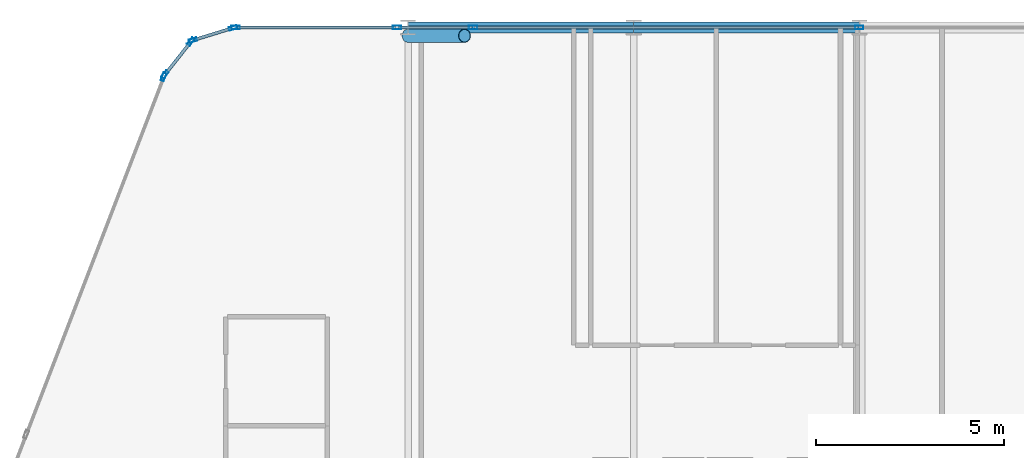
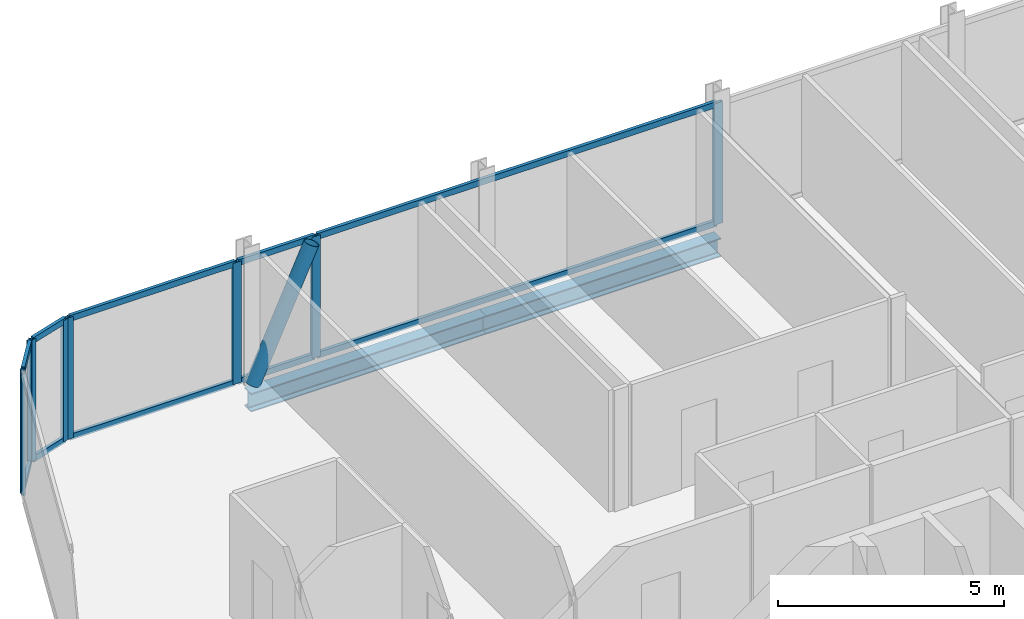
# One storey, part 14 of 33: 20 members, 2 beams, 6 elements without a shape of their own.
"""IFC4 building model written with IfcOpenShell, lengths in metres."""

from ifc_helpers import new_model, si_unit, direction, frame, origin, origin_2d, place, context, subcontext, project, spatial, hollow_rectangle, hollow_circle, i_section, extrude, material, layer, layer_set, material_profile, profile_set, type_object, element, aggregate, save


model = new_model("IFC4")

# Units and contexts
model_context = context("Model", 3, precision=1e-05, world=origin(), true_north=direction((0.0, 1.0)))
body_context = subcontext(model_context, "Body", "Model", "MODEL_VIEW")
ifc_project = project(units=[si_unit("LENGTHUNIT", "METRE"), si_unit("AREAUNIT", "SQUARE_METRE"), si_unit("VOLUMEUNIT", "CUBIC_METRE"), si_unit("PLANEANGLEUNIT", "RADIAN"), si_unit("MASSUNIT", "GRAM", prefix="KILO")], contexts=[model_context])

# Site, building, storey
site_placement = place(None, origin())
site = spatial("IfcSite", under=ifc_project, at=site_placement, CompositionType="ELEMENT")
building_placement = place(site_placement, origin())
building = spatial("IfcBuilding", under=site, at=building_placement, Name="Keshet Zoharim Tower", CompositionType="ELEMENT")
storey_placement = place(building_placement, frame((0.0, 0.0, 57.300048828125)))
storey = spatial("IfcBuildingStorey", under=building, at=storey_placement, Name="L13", CompositionType="ELEMENT", Elevation=57.300048828125)

# Beams
ifc_material_1 = material(Name="Steel S355", Category="steel")
ifc_material_profile_1 = material_profile(ifc_material_1, i_section(OverallWidth=0.300048828125, OverallDepth=0.5, WebThickness=0.014404296875, FlangeThickness=0.028076171875, FilletRadius=0.027099609375, at=origin_2d()), Name="HEB500")
ifc_profile_set_1 = profile_set([ifc_material_profile_1], Name="Steel S355")
beam_type = type_object("IfcBeamType", Name="BM-WEB-HB500", PredefinedType="BEAM", material=ifc_profile_set_1)
for number, where, z_axis, x_axis, name in (
    (1, (21.0, 53.89990234375, -0.56494140625), (1.0, 0.0, 0.0), (0.0, 1.0, 0.0), "L13 Primary Girder X-029"),
    (2, (27.0, 53.89990234375, -0.56494140625), (1.0, 0.0, 0.0), (0.0, 1.0, 0.0), "L13 Primary Girder X-030"),
):
    element("IfcBeam", number, at=place(storey_placement, frame(where, z_axis=z_axis, x_axis=x_axis)), inside=storey, type_object=beam_type, Name=name, PredefinedType="BEAM", context=body_context, shape_type="SweptSolid", body=[
        extrude(i_section(OverallWidth=0.300048828125, OverallDepth=0.5, WebThickness=0.014404296875, FlangeThickness=0.028076171875, FilletRadius=0.027099609375, at=origin_2d()), origin(), (0.0, 0.0, 1.0), 6.0),
    ])

# Curtain wall, member
ifc_material_2 = material(Name="Aluminium 6063-T6", Category="aluminium")
ifc_layer_1 = layer(ifc_material_2, 0.179931640625)
ifc_layer_set_1 = layer_set([ifc_layer_1], Name="Aluminium 6063-T6")
curtain_wall_type_1 = type_object("IfcCurtainWallType", Name="CW-SYS-01", PredefinedType="NOTDEFINED", material=ifc_layer_set_1)
curtain_wall_1_placement = place(storey_placement, origin())
curtain_wall_1 = element("IfcCurtainWall", 3, at=curtain_wall_1_placement, inside=storey, type_object=curtain_wall_type_1, Name="L13 Unitised Curtain Wall 04", PredefinedType="NOTDEFINED")
ifc_material_profile_2 = material_profile(ifc_material_2, hollow_rectangle(XDim=0.090087890625, YDim=0.219970703125, WallThickness=0.0048828125, at=origin_2d()), Name="MUL-90x220")
ifc_profile_set_2 = profile_set([ifc_material_profile_2], Name="Aluminium 6063-T6")
member_type_1 = type_object("IfcMemberType", Name="CWM-M22", PredefinedType="MULLION", material=ifc_profile_set_2)
member_1_placement = place(storey_placement, frame((14.494384765625, 52.58544921875, 0.0), z_axis=(0.0, 0.0, 1.0), x_axis=(-0.933341404361, 0.358990003907, 0.0)))
member_1 = element("IfcMember", 4, at=member_1_placement, type_object=member_type_1, Name="CW-01 mullion 4", PredefinedType="MULLION", context=body_context, shape_type="SweptSolid", body=[
    extrude(hollow_rectangle(XDim=0.090087890625, YDim=0.219970703125, WallThickness=0.0048828125, at=origin_2d()), origin(), (0.0, 0.0, 1.0), 3.280029296875),
])
aggregate(curtain_wall_1, [member_1])

# Curtain wall, members
curtain_wall_2_placement = place(storey_placement, origin())
curtain_wall_2 = element("IfcCurtainWall", 5, at=curtain_wall_2_placement, inside=storey, type_object=curtain_wall_type_1, Name="L13 Unitised Curtain Wall 05", PredefinedType="NOTDEFINED")
member_2_placement = place(storey_placement, frame((14.528564453125, 52.6455078125, 0.0), z_axis=(0.0, 0.0, 1.0), x_axis=(-0.785292825205, 0.619124525989, 0.0)))
member_2 = element("IfcMember", 6, at=member_2_placement, type_object=member_type_1, Name="CW-01 mullion 1", PredefinedType="MULLION", context=body_context, shape_type="SweptSolid", body=[
    extrude(hollow_rectangle(XDim=0.090087890625, YDim=0.219970703125, WallThickness=0.0048828125, at=origin_2d()), origin(), (0.0, 0.0, 1.0), 3.280029296875),
])
member_3_placement = place(storey_placement, frame((15.21923828125, 53.521484375, 0.0), z_axis=(0.0, 0.0, 1.0), x_axis=(-0.785292825205, 0.619124525989, 0.0)))
member_3 = element("IfcMember", 7, at=member_3_placement, type_object=member_type_1, Name="CW-01 mullion 2", PredefinedType="MULLION", context=body_context, shape_type="SweptSolid", body=[
    extrude(hollow_rectangle(XDim=0.090087890625, YDim=0.219970703125, WallThickness=0.0048828125, at=origin_2d()), origin(), (0.0, 0.0, 1.0), 3.280029296875),
])

curtain_wall_3_placement = place(storey_placement, origin())
curtain_wall_3 = element("IfcCurtainWall", 8, at=curtain_wall_3_placement, inside=storey, type_object=curtain_wall_type_1, Name="L13 Unitised Curtain Wall 06", PredefinedType="NOTDEFINED")
member_4_placement = place(storey_placement, frame((15.2744140625, 53.559326171875, 0.0), z_axis=(0.0, 0.0, 1.0), x_axis=(-0.295921857984, 0.955212151288, 0.0)))
member_4 = element("IfcMember", 9, at=member_4_placement, type_object=member_type_1, Name="CW-01 mullion 1", PredefinedType="MULLION", context=body_context, shape_type="SweptSolid", body=[
    extrude(hollow_rectangle(XDim=0.090087890625, YDim=0.219970703125, WallThickness=0.0048828125, at=origin_2d()), origin(), (0.0, 0.0, 1.0), 3.280029296875),
])
member_5_placement = place(storey_placement, frame((16.340576171875, 53.8896484375, 0.0), z_axis=(0.0, 0.0, 1.0), x_axis=(-0.295921857984, 0.955212151288, 0.0)))
member_5 = element("IfcMember", 10, at=member_5_placement, type_object=member_type_1, Name="CW-01 mullion 2", PredefinedType="MULLION", context=body_context, shape_type="SweptSolid", body=[
    extrude(hollow_rectangle(XDim=0.090087890625, YDim=0.219970703125, WallThickness=0.0048828125, at=origin_2d()), origin(), (0.0, 0.0, 1.0), 3.280029296875),
])

ifc_layer_2 = layer(ifc_material_2, 0.169921875)
ifc_layer_set_2 = layer_set([ifc_layer_2], Name="Aluminium 6063-T6")
curtain_wall_type_2 = type_object("IfcCurtainWallType", Name="CW-SYS-02", PredefinedType="NOTDEFINED", material=ifc_layer_set_2)
curtain_wall_4_placement = place(storey_placement, origin())
curtain_wall_4 = element("IfcCurtainWall", 11, at=curtain_wall_4_placement, inside=storey, type_object=curtain_wall_type_2, Name="L13 Unitised Curtain Wall 07", PredefinedType="NOTDEFINED")
member_6_placement = place(storey_placement, frame((16.408935546875, 53.89990234375, 0.0), z_axis=(0.0, 0.0, 1.0), x_axis=(0.0, 1.0, 0.0)))
member_6 = element("IfcMember", 12, at=member_6_placement, type_object=member_type_1, Name="CW-02 mullion 1", PredefinedType="MULLION", context=body_context, shape_type="SweptSolid", body=[
    extrude(hollow_rectangle(XDim=0.090087890625, YDim=0.219970703125, WallThickness=0.0048828125, at=origin_2d()), origin(), (0.0, 0.0, 1.0), 3.280029296875),
])
member_7_placement = place(storey_placement, frame((20.703369140625, 53.89990234375, 0.0), z_axis=(0.0, 0.0, 1.0), x_axis=(0.0, 1.0, 0.0)))
member_7 = element("IfcMember", 13, at=member_7_placement, type_object=member_type_1, Name="CW-02 mullion 2", PredefinedType="MULLION", context=body_context, shape_type="SweptSolid", body=[
    extrude(hollow_rectangle(XDim=0.090087890625, YDim=0.219970703125, WallThickness=0.0048828125, at=origin_2d()), origin(), (0.0, 0.0, 1.0), 3.280029296875),
])

# Curtain wall, member
curtain_wall_5_placement = place(storey_placement, origin())
curtain_wall_5 = element("IfcCurtainWall", 14, at=curtain_wall_5_placement, inside=storey, type_object=curtain_wall_type_2, Name="L13 Unitised Curtain Wall 07 Part 2", PredefinedType="NOTDEFINED")
member_8_placement = place(storey_placement, frame((22.726806640625, 53.89990234375, 0.0), z_axis=(0.0, 0.0, 1.0), x_axis=(0.0, 1.0, 0.0)))
member_8 = element("IfcMember", 15, at=member_8_placement, type_object=member_type_1, Name="CW-02 mullion 2", PredefinedType="MULLION", context=body_context, shape_type="SweptSolid", body=[
    extrude(hollow_rectangle(XDim=0.090087890625, YDim=0.219970703125, WallThickness=0.0048828125, at=origin_2d()), origin(), (0.0, 0.0, 1.0), 3.280029296875),
])

curtain_wall_6_placement = place(storey_placement, origin())
curtain_wall_6 = element("IfcCurtainWall", 16, at=curtain_wall_6_placement, inside=storey, type_object=curtain_wall_type_2, Name="L13 Unitised Curtain Wall 07 Part 3", PredefinedType="NOTDEFINED")
member_9_placement = place(storey_placement, frame((33.0, 53.89990234375, 0.0), z_axis=(0.0, 0.0, 1.0), x_axis=(0.0, 1.0, 0.0)))
member_9 = element("IfcMember", 17, at=member_9_placement, type_object=member_type_1, Name="CW-02 mullion 2", PredefinedType="MULLION", context=body_context, shape_type="SweptSolid", body=[
    extrude(hollow_rectangle(XDim=0.090087890625, YDim=0.219970703125, WallThickness=0.0048828125, at=origin_2d()), origin(), (0.0, 0.0, 1.0), 3.280029296875),
])

# Member
ifc_material_profile_3 = material_profile(ifc_material_2, hollow_rectangle(XDim=0.0849609375, YDim=0.159912109375, WallThickness=0.00439453125, at=origin_2d()), Name="TRN-85x160")
ifc_profile_set_3 = profile_set([ifc_material_profile_3], Name="Aluminium 6063-T6")
member_type_2 = type_object("IfcMemberType", Name="CWT-T16", PredefinedType="USERDEFINED", material=ifc_profile_set_3)
member_10_placement = place(storey_placement, frame((14.55029296875, 52.6728515625, 0.034912109375), z_axis=(0.619099165969, 0.78531281837, 0.0), x_axis=(-0.78531281837, 0.619099165969, 0.0)))
member_10 = element("IfcMember", 18, at=member_10_placement, type_object=member_type_2, Name="CW-01 transom 1.1", ObjectType="TRANSOM", PredefinedType="USERDEFINED", context=body_context, shape_type="SweptSolid", body=[
    extrude(hollow_rectangle(XDim=0.0849609375, YDim=0.159912109375, WallThickness=0.00439453125, at=origin_2d()), origin(), (0.0, 0.0, 1.0), 1.0458984375),
])

member_11_placement = place(storey_placement, frame((14.55029296875, 52.6728515625, 3.244873046875), z_axis=(0.619099165969, 0.78531281837, 0.0), x_axis=(-0.78531281837, 0.619099165969, 0.0)))
member_11 = element("IfcMember", 19, at=member_11_placement, type_object=member_type_2, Name="CW-01 transom 1.2", ObjectType="TRANSOM", PredefinedType="USERDEFINED", context=body_context, shape_type="SweptSolid", body=[
    extrude(hollow_rectangle(XDim=0.0849609375, YDim=0.159912109375, WallThickness=0.00439453125, at=origin_2d()), origin(), (0.0, 0.0, 1.0), 1.0458984375),
])

aggregate(curtain_wall_2, [member_2, member_3, member_10, member_11])

member_12_placement = place(storey_placement, frame((15.307861328125, 53.56982421875, 0.034912109375), z_axis=(0.955212093062, 0.295922045933, 0.0), x_axis=(-0.295922045933, 0.955212093062, 0.0)))
member_12 = element("IfcMember", 20, at=member_12_placement, type_object=member_type_2, Name="CW-01 transom 1.1", ObjectType="TRANSOM", PredefinedType="USERDEFINED", context=body_context, shape_type="SweptSolid", body=[
    extrude(hollow_rectangle(XDim=0.0849609375, YDim=0.159912109375, WallThickness=0.00439453125, at=origin_2d()), origin(), (0.0, 0.0, 1.0), 1.046142578125),
])

member_13_placement = place(storey_placement, frame((15.307861328125, 53.56982421875, 3.244873046875), z_axis=(0.955212093062, 0.295922045933, 0.0), x_axis=(-0.295922045933, 0.955212093062, 0.0)))
member_13 = element("IfcMember", 21, at=member_13_placement, type_object=member_type_2, Name="CW-01 transom 1.2", ObjectType="TRANSOM", PredefinedType="USERDEFINED", context=body_context, shape_type="SweptSolid", body=[
    extrude(hollow_rectangle(XDim=0.0849609375, YDim=0.159912109375, WallThickness=0.00439453125, at=origin_2d()), origin(), (0.0, 0.0, 1.0), 1.046142578125),
])

aggregate(curtain_wall_3, [member_4, member_5, member_12, member_13])

member_14_placement = place(storey_placement, frame((16.444091796875, 53.89990234375, 0.034912109375), z_axis=(1.0, 0.0, 0.0), x_axis=(0.0, 1.0, 0.0)))
member_14 = element("IfcMember", 22, at=member_14_placement, type_object=member_type_2, Name="CW-02 transom 1.1", ObjectType="TRANSOM", PredefinedType="USERDEFINED", context=body_context, shape_type="SweptSolid", body=[
    extrude(hollow_rectangle(XDim=0.0849609375, YDim=0.159912109375, WallThickness=0.00439453125, at=origin_2d()), origin(), (0.0, 0.0, 1.0), 4.22412109375),
])

member_15_placement = place(storey_placement, frame((16.444091796875, 53.89990234375, 3.244873046875), z_axis=(1.0, 0.0, 0.0), x_axis=(0.0, 1.0, 0.0)))
member_15 = element("IfcMember", 23, at=member_15_placement, type_object=member_type_2, Name="CW-02 transom 1.2", ObjectType="TRANSOM", PredefinedType="USERDEFINED", context=body_context, shape_type="SweptSolid", body=[
    extrude(hollow_rectangle(XDim=0.0849609375, YDim=0.159912109375, WallThickness=0.00439453125, at=origin_2d()), origin(), (0.0, 0.0, 1.0), 4.22412109375),
])

aggregate(curtain_wall_4, [member_6, member_7, member_14, member_15])

member_16_placement = place(storey_placement, frame((20.73828125, 53.89990234375, 0.034912109375), z_axis=(1.0, 0.0, 0.0), x_axis=(0.0, 1.0, 0.0)))
member_16 = element("IfcMember", 24, at=member_16_placement, type_object=member_type_2, Name="CW-02 transom 1.1", ObjectType="TRANSOM", PredefinedType="USERDEFINED", context=body_context, shape_type="SweptSolid", body=[
    extrude(hollow_rectangle(XDim=0.0849609375, YDim=0.159912109375, WallThickness=0.00439453125, at=origin_2d()), origin(), (0.0, 0.0, 1.0), 1.953369140625),
])

member_17_placement = place(storey_placement, frame((20.73828125, 53.89990234375, 3.244873046875), z_axis=(1.0, 0.0, 0.0), x_axis=(0.0, 1.0, 0.0)))
member_17 = element("IfcMember", 25, at=member_17_placement, type_object=member_type_2, Name="CW-02 transom 1.2", ObjectType="TRANSOM", PredefinedType="USERDEFINED", context=body_context, shape_type="SweptSolid", body=[
    extrude(hollow_rectangle(XDim=0.0849609375, YDim=0.159912109375, WallThickness=0.00439453125, at=origin_2d()), origin(), (0.0, 0.0, 1.0), 1.953369140625),
])

aggregate(curtain_wall_5, [member_8, member_16, member_17])

member_18_placement = place(storey_placement, frame((22.76171875, 53.89990234375, 0.034912109375), z_axis=(1.0, 0.0, 0.0), x_axis=(0.0, 1.0, 0.0)))
member_18 = element("IfcMember", 26, at=member_18_placement, type_object=member_type_2, Name="CW-02 transom 1.1", ObjectType="TRANSOM", PredefinedType="USERDEFINED", context=body_context, shape_type="SweptSolid", body=[
    extrude(hollow_rectangle(XDim=0.0849609375, YDim=0.159912109375, WallThickness=0.00439453125, at=origin_2d()), origin(), (0.0, 0.0, 1.0), 10.203369140625),
])

member_19_placement = place(storey_placement, frame((22.76171875, 53.89990234375, 3.244873046875), z_axis=(1.0, 0.0, 0.0), x_axis=(0.0, 1.0, 0.0)))
member_19 = element("IfcMember", 27, at=member_19_placement, type_object=member_type_2, Name="CW-02 transom 1.2", ObjectType="TRANSOM", PredefinedType="USERDEFINED", context=body_context, shape_type="SweptSolid", body=[
    extrude(hollow_rectangle(XDim=0.0849609375, YDim=0.159912109375, WallThickness=0.00439453125, at=origin_2d()), origin(), (0.0, 0.0, 1.0), 10.203369140625),
])

aggregate(curtain_wall_6, [member_9, member_18, member_19])

ifc_material_profile_4 = material_profile(ifc_material_1, hollow_circle(Radius=0.177734375, WallThickness=0.012451171875, at=origin_2d()), Name="CHS355x12.5")
ifc_profile_set_4 = profile_set([ifc_material_profile_4], Name="Steel S355")
member_type_3 = type_object("IfcMemberType", Name="MB-BR-C355", PredefinedType="BRACE", material=ifc_profile_set_4)
member_20_placement = place(storey_placement, frame((21.0, 53.679931640625, 0.0), z_axis=(0.415887731958, 0.0, 0.909415963356), x_axis=(0.0, 1.0, 0.0)))
element("IfcMember", 28, at=member_20_placement, inside=storey, type_object=member_type_3, Name="L13 Perimeter Tube Brace 01", PredefinedType="BRACE", context=body_context, shape_type="SweptSolid", body=[
    extrude(hollow_circle(Radius=0.177734375, WallThickness=0.012451171875, at=origin_2d()), origin(), (0.0, 0.0, 1.0), 3.606689453125),
])

save(model, "model.ifc")
